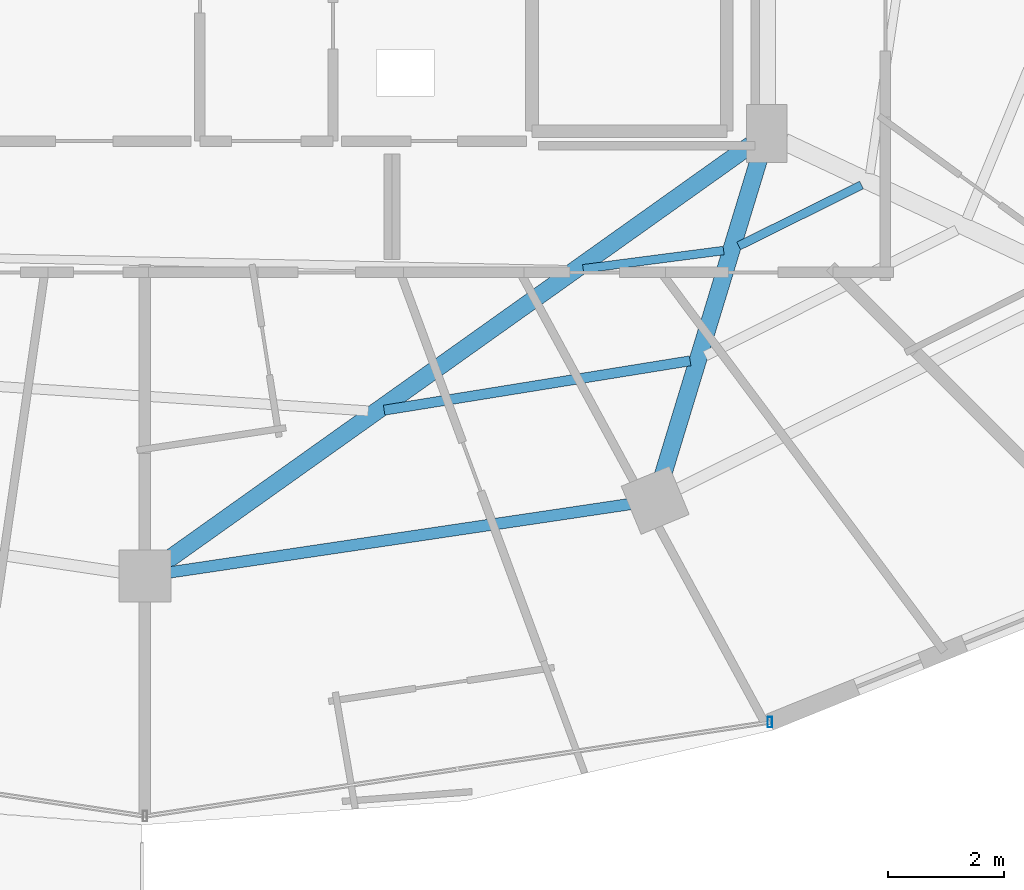
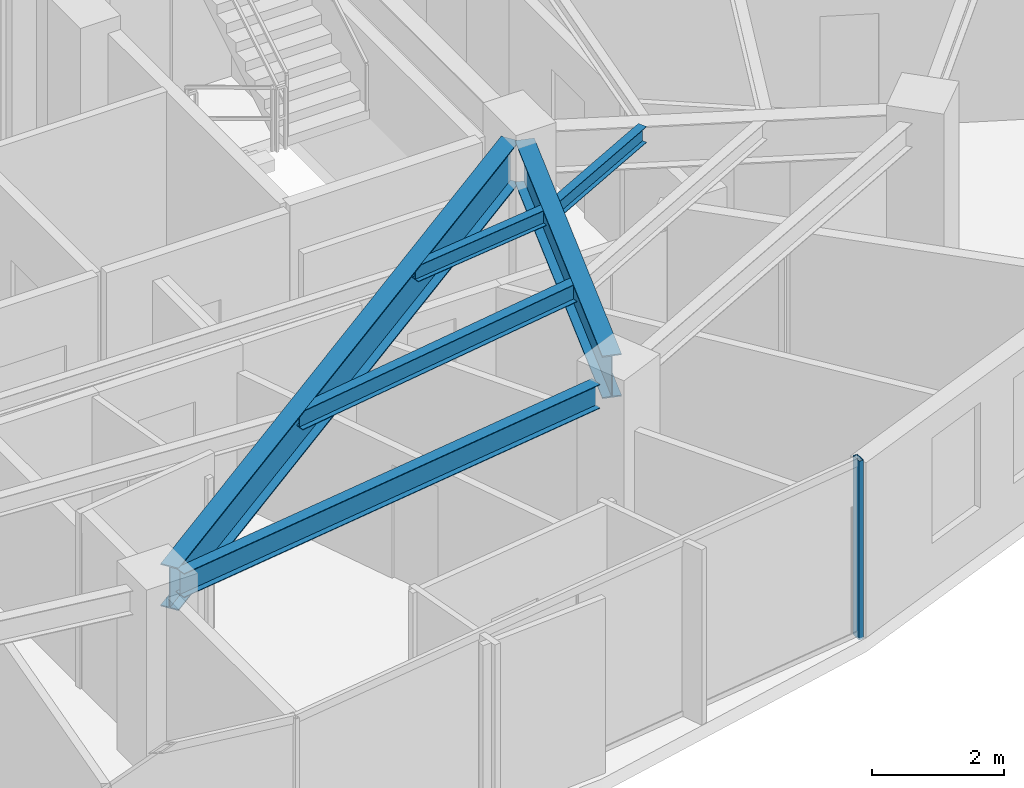
# One storey, part 11 of 34: 6 beams, 1 member, 1 element without a shape of its own.
"""IFC4 building model written with IfcOpenShell, lengths in metres."""

from ifc_helpers import new_model, si_unit, direction, frame, origin, origin_2d, place, context, subcontext, project, spatial, hollow_rectangle, i_section, extrude, material, material_profile, profile_set, type_object, element, aggregate, save


model = new_model("IFC4")

# Units and contexts
model_context = context("Model", 3, precision=1e-05, world=origin(), true_north=direction((0.0, 1.0)))
body_context = subcontext(model_context, "Body", "Model", "MODEL_VIEW")
ifc_project = project(units=[si_unit("LENGTHUNIT", "METRE"), si_unit("AREAUNIT", "SQUARE_METRE"), si_unit("VOLUMEUNIT", "CUBIC_METRE"), si_unit("PLANEANGLEUNIT", "RADIAN"), si_unit("MASSUNIT", "GRAM", prefix="KILO")], contexts=[model_context])

# Site, building, storey
site_placement = place(None, origin())
site = spatial("IfcSite", under=ifc_project, at=site_placement, CompositionType="ELEMENT")
building_placement = place(site_placement, origin())
building = spatial("IfcBuilding", under=site, at=building_placement, Name="Vorneva Point Tower", CompositionType="ELEMENT")
storey_placement = place(building_placement, frame((0.0, 0.0, 186.10009765625)))
storey = spatial("IfcBuildingStorey", under=building, at=storey_placement, Name="L50", CompositionType="ELEMENT", Elevation=186.10009765625)

# Beams
ifc_material_1 = material(Name="Steel S355", Category="steel")
ifc_material_profile_1 = material_profile(ifc_material_1, i_section(OverallWidth=0.300048828125, OverallDepth=0.7880859375, WebThickness=0.014404296875, FlangeThickness=0.02197265625, at=origin_2d()), Name="80Sh1")
ifc_profile_set_1 = profile_set([ifc_material_profile_1], Name="Steel S355")
beam_type_1 = type_object("IfcBeamType", Name="BM-GRD-80Sh1", PredefinedType="USERDEFINED", material=ifc_profile_set_1)
beam_1_placement = place(storey_placement, frame((38.35693359375, 9.053955078125, 2.845947265625), z_axis=(0.814749933852, 0.579812508737, 0.0), x_axis=(-0.579812508737, 0.814749933852, 0.0)))
element("IfcBeam", 1, at=beam_1_placement, inside=storey, type_object=beam_type_1, Name="L50 Radial Primary Girder 13", ObjectType="GIRDER", PredefinedType="USERDEFINED", context=body_context, shape_type="SweptSolid", body=[
    extrude(i_section(OverallWidth=0.300048828125, OverallDepth=0.7880859375, WebThickness=0.014404296875, FlangeThickness=0.02197265625, at=origin_2d()), origin(), (0.0, 0.0, 1.0), 12.416015625),
])
beam_2_placement = place(storey_placement, frame((46.948486328125, 10.5283203125, 2.845947265625), z_axis=(0.291025429135, 0.956715317948, 0.0), x_axis=(-0.956715317948, 0.291025429135, 0.0)))
element("IfcBeam", 2, at=beam_2_placement, inside=storey, type_object=beam_type_1, Name="L50 Radial Primary Girder 14", ObjectType="GIRDER", PredefinedType="USERDEFINED", context=body_context, shape_type="SweptSolid", body=[
    extrude(i_section(OverallWidth=0.300048828125, OverallDepth=0.7880859375, WebThickness=0.014404296875, FlangeThickness=0.02197265625, at=origin_2d()), origin(), (0.0, 0.0, 1.0), 5.849609375),
])
ifc_material_profile_2 = material_profile(ifc_material_1, i_section(OverallWidth=0.14892578125, OverallDepth=0.298095703125, WebThickness=0.005615234375, FlangeThickness=0.008056640625, at=origin_2d()), Name="30B1")
ifc_profile_set_2 = profile_set([ifc_material_profile_2], Name="Steel S355")
beam_type_2 = type_object("IfcBeamType", Name="BM-JST-30B1", PredefinedType="JOIST", material=ifc_profile_set_2)
beam_3_placement = place(storey_placement, frame((45.574951171875, 14.111083984375, 3.0908203125), z_axis=(0.991593183209, 0.129394586489, 0.0), x_axis=(-0.129394586489, 0.991593183209, 0.0)))
element("IfcBeam", 3, at=beam_3_placement, inside=storey, type_object=beam_type_2, Name="L50 Secondary Floor Beam 2.13", PredefinedType="JOIST", context=body_context, shape_type="SweptSolid", body=[
    extrude(i_section(OverallWidth=0.14892578125, OverallDepth=0.298095703125, WebThickness=0.005615234375, FlangeThickness=0.008056640625, at=origin_2d()), origin(), (0.0, 0.0, 1.0), 2.448974609375),
])
beam_4_placement = place(storey_placement, frame((48.263916015625, 14.507080078125, 3.0908203125), z_axis=(0.895946483514, 0.4441620185, 0.0), x_axis=(-0.4441620185, 0.895946483514, 0.0)))
element("IfcBeam", 4, at=beam_4_placement, inside=storey, type_object=beam_type_2, Name="L50 Secondary Floor Beam 2.14", PredefinedType="JOIST", context=body_context, shape_type="SweptSolid", body=[
    extrude(i_section(OverallWidth=0.14892578125, OverallDepth=0.298095703125, WebThickness=0.005615234375, FlangeThickness=0.008056640625, at=origin_2d()), origin(), (0.0, 0.0, 1.0), 2.3701171875),
])
ifc_material_profile_3 = material_profile(ifc_material_1, i_section(OverallWidth=0.174072265625, OverallDepth=0.345947265625, WebThickness=0.006103515625, FlangeThickness=0.009033203125, at=origin_2d()), Name="35B1")
ifc_profile_set_3 = profile_set([ifc_material_profile_3], Name="Steel S355")
beam_type_3 = type_object("IfcBeamType", Name="BM-SEC-35B1", PredefinedType="BEAM", material=ifc_profile_set_3)
beam_5_placement = place(storey_placement, frame((42.135009765625, 11.66748046875, 3.06689453125), z_axis=(0.987232801798, 0.159284007527, 0.0), x_axis=(-0.159284007527, 0.987232801798, 0.0)))
element("IfcBeam", 5, at=beam_5_placement, inside=storey, type_object=beam_type_3, Name="L50 Secondary Floor Beam 1.13", PredefinedType="BEAM", context=body_context, shape_type="SweptSolid", body=[
    extrude(i_section(OverallWidth=0.174072265625, OverallDepth=0.345947265625, WebThickness=0.006103515625, FlangeThickness=0.009033203125, at=origin_2d()), origin(), (0.0, 0.0, 1.0), 5.3583984375),
])
ifc_material_profile_4 = material_profile(ifc_material_1, i_section(OverallWidth=0.198974609375, OverallDepth=0.446044921875, WebThickness=0.008056640625, FlangeThickness=0.011962890625, at=origin_2d()), Name="45B1")
ifc_profile_set_4 = profile_set([ifc_material_profile_4], Name="Steel S355")
beam_type_4 = type_object("IfcBeamType", Name="BM-SPN-45B1", PredefinedType="SPANDREL", material=ifc_profile_set_4)
beam_6_placement = place(storey_placement, frame((38.430419921875, 8.864013671875, 3.016845703125), z_axis=(0.989165476332, 0.146804837907, 0.0), x_axis=(-0.146804837907, 0.989165476332, 0.0)))
element("IfcBeam", 6, at=beam_6_placement, inside=storey, type_object=beam_type_4, Name="L50 Perimeter Spandrel Ring Beam 13", PredefinedType="SPANDREL", context=body_context, shape_type="SweptSolid", body=[
    extrude(i_section(OverallWidth=0.198974609375, OverallDepth=0.446044921875, WebThickness=0.008056640625, FlangeThickness=0.011962890625, at=origin_2d()), origin(), (0.0, 0.0, 1.0), 8.04736328125),
])

# Curtain wall, member
ifc_material_2 = material(Name="Pale anodised aluminium", Category="aluminium")
curtain_wall_type = type_object("IfcCurtainWallType", Name="CW-RES-SYS", PredefinedType="NOTDEFINED", material=ifc_material_2)
curtain_wall_placement = place(storey_placement, origin())
curtain_wall = element("IfcCurtainWall", 7, at=curtain_wall_placement, inside=storey, type_object=curtain_wall_type, Name="L50 Unitised Curtain Wall CW-L50-R03", PredefinedType="NOTDEFINED")
ifc_material_profile_5 = material_profile(ifc_material_2, hollow_rectangle(XDim=0.074951171875, YDim=0.179931640625, WallThickness=0.00390625, at=origin_2d()), Name="AL-MUL 180x75x4")
ifc_profile_set_5 = profile_set([ifc_material_profile_5], Name="Pale anodised aluminium")
member_type = type_object("IfcMemberType", Name="CW-MUL-180", PredefinedType="MULLION", material=ifc_profile_set_5)
member_placement = place(storey_placement, frame((48.80322265625, 6.275146484375, -0.0400390625), z_axis=(0.0, 0.0, 1.0), x_axis=(1.0, 0.0, 0.0)))
member = element("IfcMember", 8, at=member_placement, type_object=member_type, Name="CW-L50-R03 Mullion 05", PredefinedType="MULLION", context=body_context, shape_type="SweptSolid", body=[
    extrude(hollow_rectangle(XDim=0.074951171875, YDim=0.179931640625, WallThickness=0.00390625, at=origin_2d()), origin(), (0.0, 0.0, 1.0), 3.31005859375),
])
aggregate(curtain_wall, [member])

save(model, "model.ifc")
